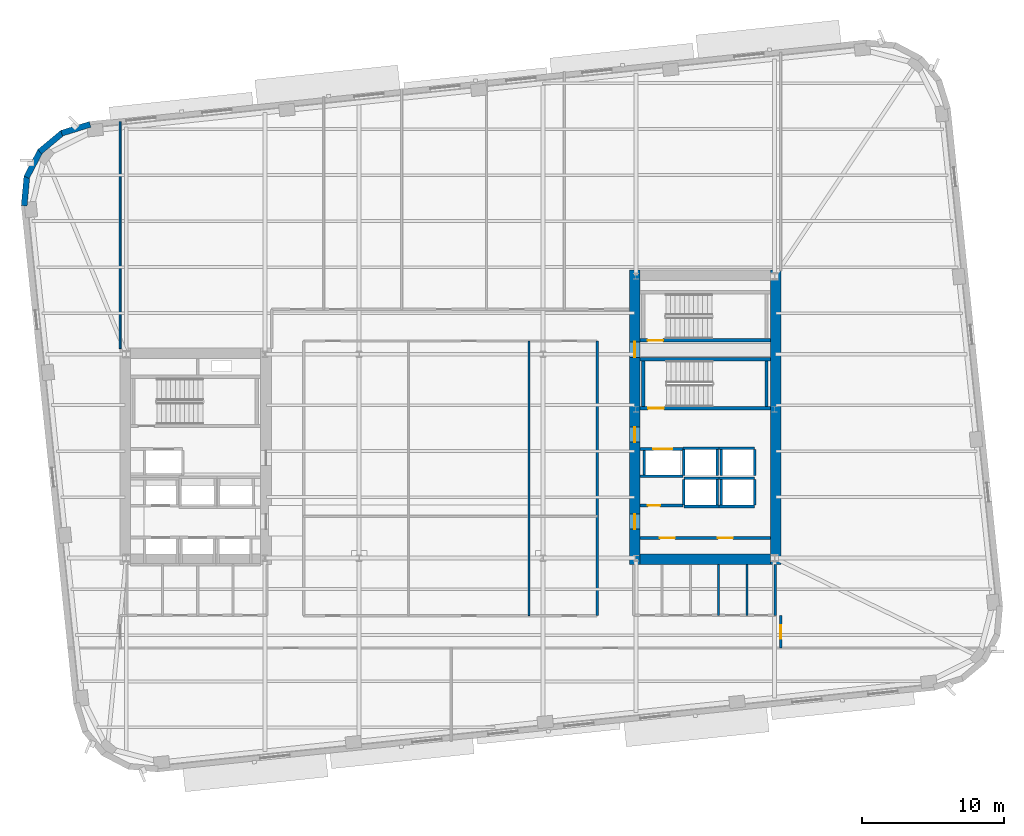
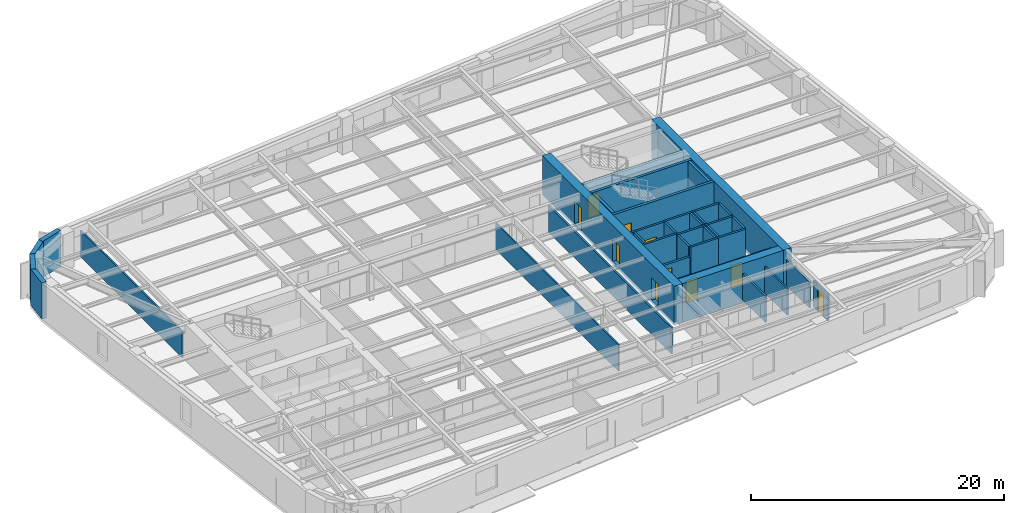
# One storey, part 6 of 15: 38 walls, 10 doors, 10 openings.
"""IFC4 building model written with IfcOpenShell, lengths in metres."""

import ifcopenshell
import ifcopenshell.guid

model = None  # the IFC model being written
_history = None  # IfcOwnerHistory: only IFC2X3 demands one
_inside = {}  # id of a spatial element -> (the spatial element, [elements in it])
_under = {}  # id of a project, library or spatial element -> (it, [spatial elements below it])
_declared = {}  # id of a project -> (the project, [libraries it declares])
_typed = {}  # id of a type object -> (the type object, [elements of that type])
_made_of = {}  # id of a material, layer set ... -> (it, [elements and type objects made of it])


def new_model(schema):
    """Start an empty IFC model of exactly this schema.

    Asked for "IFC4X3", IfcOpenShell would pick the latest addendum, in which some entities
    have other attributes; the version numbers below select the first issue.
    IFC2X3 requires an IfcOwnerHistory on every rooted entity: one is made here for all.
    """
    global model, _history
    if schema == "IFC4X3":
        model = ifcopenshell.file(schema_version=(4, 3, 0, 0))
    else:
        model = ifcopenshell.file(schema=schema)
    _inside.clear()
    _under.clear()
    _declared.clear()
    _typed.clear()
    _made_of.clear()
    _history = None
    if model.schema == "IFC2X3":
        org = make("IfcOrganization", Name="unknown")
        user = make(
            "IfcPersonAndOrganization",
            ThePerson=make("IfcPerson", FamilyName="unknown"),
            TheOrganization=org,
        )
        app = make(
            "IfcApplication",
            ApplicationDeveloper=org,
            Version="unknown",
            ApplicationFullName="unknown",
            ApplicationIdentifier="unknown",
        )
        _history = make(
            "IfcOwnerHistory",
            OwningUser=user,
            OwningApplication=app,
            ChangeAction="ADDED",
            CreationDate=0,
        )
    return model


def make(cls, **values):
    """One entity of the class cls with the attributes given. An attribute that is None is left unset."""
    return model.create_entity(
        cls, **{name: value for name, value in values.items() if value is not None}
    )


def rooted(cls, **values):
    """An entity with a GlobalId (a new one), such as an element, a storey or a relation."""
    return make(cls, GlobalId=ifcopenshell.guid.new(), OwnerHistory=_history, **values)


def si_unit(unit_type, name, prefix=None):
    """IfcSIUnit, for example si_unit("LENGTHUNIT", "METRE", prefix="MILLI")."""
    return make("IfcSIUnit", UnitType=unit_type, Prefix=prefix, Name=name)


def assignment(units):
    """IfcUnitAssignment: the units of a project."""
    return None if units is None else make("IfcUnitAssignment", Units=units)


def point(xyz):
    """IfcCartesianPoint."""
    return None if xyz is None else make("IfcCartesianPoint", Coordinates=xyz)


def direction(xyz):
    """IfcDirection."""
    return None if xyz is None else make("IfcDirection", DirectionRatios=xyz)


def frame(location, z_axis=None, x_axis=None):
    """IfcAxis2Placement3D, a coordinate frame: its origin and axes. An axis left out is left unset."""
    return make(
        "IfcAxis2Placement3D",
        Location=point(location),
        Axis=direction(z_axis),
        RefDirection=direction(x_axis),
    )


def frame_2d(location, x_axis=None):
    """IfcAxis2Placement2D, a coordinate frame in the plane: its origin and x axis."""
    return make(
        "IfcAxis2Placement2D", Location=point(location), RefDirection=direction(x_axis)
    )


def origin():
    """The frame at (0, 0, 0) with its axes left unset."""
    return frame((0.0, 0.0, 0.0))


def place(relative_to, where):
    """IfcLocalPlacement: puts the frame where relative to a parent placement (None: the world)."""
    return make(
        "IfcLocalPlacement", PlacementRelTo=relative_to, RelativePlacement=where
    )


def context(
    kind, dimensions, precision=None, world=None, true_north=None, identifier=None
):
    """IfcGeometricRepresentationContext, for example the 3D "Model" context."""
    return make(
        "IfcGeometricRepresentationContext",
        ContextIdentifier=identifier,
        ContextType=kind,
        CoordinateSpaceDimension=dimensions,
        Precision=precision,
        WorldCoordinateSystem=world,
        TrueNorth=true_north,
    )


def subcontext(parent, identifier, kind, view, scale=None):
    """IfcGeometricRepresentationSubContext, for example "Body" below "Model"."""
    return make(
        "IfcGeometricRepresentationSubContext",
        ContextIdentifier=identifier,
        ContextType=kind,
        ParentContext=parent,
        TargetScale=scale,
        TargetView=view,
    )


def project(units=None, contexts=None):
    """IfcProject with its units and contexts."""
    return rooted(
        "IfcProject",
        Name="project",
        RepresentationContexts=contexts,
        UnitsInContext=assignment(units),
    )


def spatial(cls, under=None, at=None, **own):
    """A site, building, storey or space (cls), placed at a placement, below another one or the project."""
    s = rooted(cls, ObjectPlacement=at, **own)
    if under is not None:
        _under.setdefault(under.id(), (under, []))[1].append(s)
    return s


def profile(cls, at=None, kind="AREA", **sizes):
    """A parametric profile (cls). Its sizes go by their IFC names, for example OverallWidth=200.0."""
    return make(cls, ProfileType=kind, Position=at, **sizes)


def rectangle(**sizes):
    """IfcRectangleProfileDef."""
    return profile("IfcRectangleProfileDef", **sizes)


def extrude(swept, where, along, depth):
    """IfcExtrudedAreaSolid: the profile swept, set in the frame where, extruded along a direction by depth."""
    return make(
        "IfcExtrudedAreaSolid",
        SweptArea=swept,
        Position=where,
        ExtrudedDirection=direction(along),
        Depth=depth,
    )


def shape(context_of_items, identifier, shape_type, items):
    """IfcShapeRepresentation: the items that make up one representation, for example the "Body"."""
    return make(
        "IfcShapeRepresentation",
        ContextOfItems=context_of_items,
        RepresentationIdentifier=identifier,
        RepresentationType=shape_type,
        Items=items,
    )


def material(Name=None, Category=None):
    """IfcMaterial."""
    return make("IfcMaterial", Name=Name, Category=Category)


def layer(
    of_material, thickness, ventilated=None, Name=None, Category=None, Priority=None
):
    """IfcMaterialLayer: one layer of a wall or slab, of a material (None: an air gap)."""
    return make(
        "IfcMaterialLayer",
        Material=of_material,
        LayerThickness=thickness,
        IsVentilated=ventilated,
        Name=Name,
        Category=Category,
        Priority=Priority,
    )


def layer_set(layers, Name=None):
    """IfcMaterialLayerSet."""
    return make("IfcMaterialLayerSet", MaterialLayers=layers, LayerSetName=Name)


def made_of(thing, what):
    """Note that an element or type object is made of a material, layer set ...; save() writes the relation."""
    if what is not None:
        _made_of.setdefault(what.id(), (what, []))[1].append(thing)
    return thing


def type_object(cls, material=None, **own):
    """A type object (cls), such as IfcWallType, which elements share."""
    return made_of(rooted(cls, **own), material)


def element(
    cls,
    number,
    at=None,
    inside=None,
    cuts=None,
    type_object=None,
    material=None,
    context=None,
    identifier="Body",
    shape_type=None,
    held_by="IfcProductDefinitionShape",
    body=None,
    shapes=None,
    **own,
):
    """One element of the class cls, such as IfcWall. Its Tag is "e" and its number.

    at: its placement. inside: the storey or other place that contains it. cuts: it is an
    opening in that element (IfcRelVoidsElement). A single representation is given by context,
    identifier, shape_type and body (its items); several are given by shapes. held_by: the class
    of the entity that holds the representations. save() writes the other relations.
    """
    e = rooted(cls, Tag="e%d" % number, ObjectPlacement=at, **own)
    if body is not None:
        shapes = [shape(context, identifier, shape_type, body)]
    if shapes is not None:
        e.Representation = make(held_by, Representations=shapes)
    if inside is not None:
        _inside.setdefault(inside.id(), (inside, []))[1].append(e)
    if cuts is not None:
        rooted(
            "IfcRelVoidsElement", RelatingBuildingElement=cuts, RelatedOpeningElement=e
        )
    if type_object is not None:
        _typed.setdefault(type_object.id(), (type_object, []))[1].append(e)
    return made_of(e, material)


def fill(opening, filler):
    """IfcRelFillsElement: the door or window that sits in an opening."""
    return rooted(
        "IfcRelFillsElement",
        RelatingOpeningElement=opening,
        RelatedBuildingElement=filler,
    )


def aggregate(whole, parts):
    """IfcRelAggregates: a whole, such as a stair, and the parts it consists of."""
    return rooted("IfcRelAggregates", RelatingObject=whole, RelatedObjects=parts)


def save(model, path):
    """Write the relations noted so far, then the file.

    IfcRelAggregates (storeys below a building ...), IfcRelContainedInSpatialStructure (elements
    in a storey), IfcRelDefinesByType, IfcRelAssociatesMaterial and IfcRelDeclares: one each for
    every whole, place, type object, material and project.
    """
    for whole, parts in _under.values():
        aggregate(whole, parts)
    for where, things in _inside.values():
        rooted(
            "IfcRelContainedInSpatialStructure",
            RelatedElements=things,
            RelatingStructure=where,
        )
    for kind, things in _typed.values():
        rooted("IfcRelDefinesByType", RelatedObjects=things, RelatingType=kind)
    for what, things in _made_of.values():
        rooted("IfcRelAssociatesMaterial", RelatedObjects=things, RelatingMaterial=what)
    for by, libraries in _declared.values():
        rooted("IfcRelDeclares", RelatingContext=by, RelatedDefinitions=libraries)
    model.write(path)


model = new_model("IFC4")

# Units and contexts
model_context = context("Model", 3, precision=1e-05, world=origin(), true_north=direction((0.0, 1.0)))
body_context = subcontext(model_context, "Body", "Model", "MODEL_VIEW")
ifc_project = project(units=[si_unit("LENGTHUNIT", "METRE"), si_unit("AREAUNIT", "SQUARE_METRE"), si_unit("VOLUMEUNIT", "CUBIC_METRE"), si_unit("PLANEANGLEUNIT", "RADIAN"), si_unit("MASSUNIT", "GRAM", prefix="KILO")], contexts=[model_context])

# Site, building, storey
site_placement = place(None, origin())
site = spatial("IfcSite", under=ifc_project, at=site_placement, CompositionType="ELEMENT")
building_placement = place(site_placement, origin())
building = spatial("IfcBuilding", under=site, at=building_placement, Name="Kolvaren Arena Tower", CompositionType="ELEMENT")
storey_placement = place(building_placement, frame((0.0, 0.0, 142.0)))
storey = spatial("IfcBuildingStorey", under=building, at=storey_placement, Name="L33", CompositionType="ELEMENT", Elevation=142.0)

# Wall
ifc_material_1 = material(Name="Gypsum board acoustic assembly", Category="gypsum")
ifc_layer_1 = layer(ifc_material_1, 0.159912109375)
ifc_layer_set_1 = layer_set([ifc_layer_1], Name="Gypsum board acoustic assembly")
wall_type_1 = type_object("IfcWallType", Name="CORR-160", PredefinedType="PARTITIONING", material=ifc_layer_set_1)
wall_1_placement = place(storey_placement, frame((47.820068359375, 15.3798828125, 0.0), z_axis=(0.0, 0.0, 1.0), x_axis=(0.0, 1.0, 0.0)))
element("IfcWall", 1, at=wall_1_placement, inside=storey, type_object=wall_type_1, Name="Interior Partition Wall (L33)", PredefinedType="PARTITIONING", context=body_context, shape_type="SweptSolid", body=[
    extrude(rectangle(XDim=19.400146484375, YDim=0.159912109375, at=frame_2d((9.7001953125, 0.0))), origin(), (0.0, 0.0, 1.0), 2.5400390625),
])

# Wall, opening, door
wall_2_placement = place(storey_placement, frame((60.780029296875, 13.10009765625, 0.0), z_axis=(0.0, 0.0, 1.0), x_axis=(0.0, 1.0, 0.0)))
wall_2 = element("IfcWall", 2, at=wall_2_placement, inside=storey, type_object=wall_type_1, Name="Interior Partition Wall (L33)", PredefinedType="PARTITIONING", context=body_context, shape_type="SweptSolid", body=[
    extrude(rectangle(XDim=2.2998046875, YDim=0.159912109375, at=frame_2d((1.14990234375, 0.0))), origin(), (0.0, 0.0, 1.0), 2.5400390625),
])
opening_1_placement = place(wall_2_placement, frame((0.64990234375, 0.0, 0.0)))
opening_1 = element("IfcOpeningElement", 3, at=opening_1_placement, cuts=wall_2, Name="Opening D05", PredefinedType="OPENING", context=body_context, shape_type="SweptSolid", body=[
    extrude(rectangle(XDim=0.949951171875, YDim=2.14990234375, at=frame_2d((0.47509765625, 1.074951171875))), frame((0.0, 0.08984375, 0.0), z_axis=(0.0, -1.0, 0.0), x_axis=(1.0, 0.0, 0.0)), (0.0, 0.0, 1.0), 0.179931640625),
])
ifc_material_2 = material(Name="Solid-core oak acoustic office door", Category="wood")
door_type_1 = type_object("IfcDoorType", Name="DOOR-OF-095", OperationType="NOTDEFINED", PredefinedType="DOOR", material=ifc_material_2)
door_1_placement = place(opening_1_placement, origin())
door_1 = element("IfcDoor", 4, at=door_1_placement, inside=storey, type_object=door_type_1, Name="East Wing Studio Door (L33)", OperationType="SINGLE_SWING_RIGHT", OverallHeight=2.14990234375, OverallWidth=0.949951171875, PredefinedType="DOOR", context=body_context, shape_type="SweptSolid", body=[
    extrude(rectangle(XDim=0.949951171875, YDim=2.14990234375, at=frame_2d((0.47509765625, 1.074951171875))), frame((0.0, 0.02490234375, 0.0), z_axis=(0.0, -1.0, 0.0), x_axis=(1.0, 0.0, 0.0)), (0.0, 0.0, 1.0), 0.050048828125),
])
fill(opening_1, door_1)

# Wall, openings, doors
ifc_material_3 = material(Name="Concrete 70 MPa", Category="concrete")
ifc_layer_2 = layer(ifc_material_3, 0.75)
ifc_layer_set_2 = layer_set([ifc_layer_2], Name="Concrete 70 MPa")
wall_type_2 = type_object("IfcWallType", Name="CWALL-750", PredefinedType="SHEAR", material=ifc_layer_set_2)
wall_3_placement = place(storey_placement, frame((50.47509765625, 19.0, -0.27001953125), z_axis=(0.0, 0.0, 1.0), x_axis=(0.0, 1.0, 0.0)))
wall_3 = element("IfcWall", 5, at=wall_3_placement, inside=storey, type_object=wall_type_2, Name="Core Shear Wall EC-WEST (L33)", PredefinedType="SHEAR", context=body_context, shape_type="SweptSolid", body=[
    extrude(rectangle(XDim=20.800048828125, YDim=0.75, at=frame_2d((10.39990234375, 0.0))), origin(), (0.0, 0.0, 1.0), 3.75),
])
opening_2_placement = place(wall_3_placement, frame((2.5, 0.0, 0.27001953125)))
opening_2 = element("IfcOpeningElement", 6, at=opening_2_placement, cuts=wall_3, Name="Opening D04", PredefinedType="OPENING", context=body_context, shape_type="SweptSolid", body=[
    extrude(rectangle(XDim=1.050048828125, YDim=2.14990234375, at=frame_2d((0.52490234375, 1.074951171875))), frame((0.0, 0.385009765625, 0.0), z_axis=(0.0, -1.0, 0.0), x_axis=(1.0, 0.0, 0.0)), (0.0, 0.0, 1.0), 0.77001953125),
])
opening_3_placement = place(wall_3_placement, frame((8.64990234375, 0.0, 0.27001953125)))
opening_3 = element("IfcOpeningElement", 7, at=opening_3_placement, cuts=wall_3, Name="Opening D04", PredefinedType="OPENING", context=body_context, shape_type="SweptSolid", body=[
    extrude(rectangle(XDim=1.050048828125, YDim=2.14990234375, at=frame_2d((0.52490234375, 1.074951171875))), frame((0.0, 0.385009765625, 0.0), z_axis=(0.0, -1.0, 0.0), x_axis=(1.0, 0.0, 0.0)), (0.0, 0.0, 1.0), 0.77001953125),
])
opening_4_placement = place(wall_3_placement, frame((14.6201171875, 0.0, 0.27001953125)))
opening_4 = element("IfcOpeningElement", 8, at=opening_4_placement, cuts=wall_3, Name="Opening D03", PredefinedType="OPENING", context=body_context, shape_type="SweptSolid", body=[
    extrude(rectangle(XDim=1.10009765625, YDim=2.14990234375, at=frame_2d((0.550048828125, 1.074951171875))), frame((0.0, 0.385009765625, 0.0), z_axis=(0.0, -1.0, 0.0), x_axis=(1.0, 0.0, 0.0)), (0.0, 0.0, 1.0), 0.77001953125),
])
ifc_material_4 = material(Name="Fire-rated steel lobby door", Category="steel")
door_type_2 = type_object("IfcDoorType", Name="DOOR-FF-105", OperationType="NOTDEFINED", PredefinedType="DOOR", material=ifc_material_4)
door_2_placement = place(opening_2_placement, origin())
door_2 = element("IfcDoor", 9, at=door_2_placement, inside=storey, type_object=door_type_2, Name="East Lift Lobby Fire Door (L33)", OperationType="SINGLE_SWING_RIGHT", OverallHeight=2.14990234375, OverallWidth=1.050048828125, PredefinedType="DOOR", context=body_context, shape_type="SweptSolid", body=[
    extrude(rectangle(XDim=1.050048828125, YDim=2.14990234375, at=frame_2d((0.52490234375, 1.074951171875))), frame((0.0, 0.02490234375, 0.0), z_axis=(0.0, -1.0, 0.0), x_axis=(1.0, 0.0, 0.0)), (0.0, 0.0, 1.0), 0.050048828125),
])
fill(opening_2, door_2)
door_3_placement = place(opening_3_placement, origin())
door_3 = element("IfcDoor", 10, at=door_3_placement, inside=storey, type_object=door_type_2, Name="East Firefighter Vestibule Door (L33)", OperationType="SINGLE_SWING_LEFT", OverallHeight=2.14990234375, OverallWidth=1.050048828125, PredefinedType="DOOR", context=body_context, shape_type="SweptSolid", body=[
    extrude(rectangle(XDim=1.050048828125, YDim=2.14990234375, at=frame_2d((0.52490234375, 1.074951171875))), frame((0.0, 0.02490234375, 0.0), z_axis=(0.0, -1.0, 0.0), x_axis=(1.0, 0.0, 0.0)), (0.0, 0.0, 1.0), 0.050048828125),
])
fill(opening_3, door_3)
ifc_material_5 = material(Name="Fire-rated steel exit stair door", Category="steel")
door_type_3 = type_object("IfcDoorType", Name="DOOR-ST-110", OperationType="NOTDEFINED", PredefinedType="DOOR", material=ifc_material_5)
door_4_placement = place(opening_4_placement, origin())
door_4 = element("IfcDoor", 11, at=door_4_placement, inside=storey, type_object=door_type_3, Name="Stair ST-E2 Vestibule Fire Door (L33)", OperationType="SINGLE_SWING_LEFT", OverallHeight=2.14990234375, OverallWidth=1.10009765625, PredefinedType="DOOR", context=body_context, shape_type="SweptSolid", body=[
    extrude(rectangle(XDim=1.10009765625, YDim=2.14990234375, at=frame_2d((0.550048828125, 1.074951171875))), frame((0.0, 0.02490234375, 0.0), z_axis=(0.0, -1.0, 0.0), x_axis=(1.0, 0.0, 0.0)), (0.0, 0.0, 1.0), 0.050048828125),
])
fill(opening_4, door_4)

# Walls
wall_4_placement = place(storey_placement, frame((60.425048828125, 19.0, -0.27001953125), z_axis=(0.0, 0.0, 1.0), x_axis=(0.0, 1.0, 0.0)))
element("IfcWall", 12, at=wall_4_placement, inside=storey, type_object=wall_type_2, Name="Core Shear Wall EC-EAST (L33)", PredefinedType="SHEAR", context=body_context, shape_type="SweptSolid", body=[
    extrude(rectangle(XDim=20.800048828125, YDim=0.75, at=frame_2d((10.39990234375, 0.0))), origin(), (0.0, 0.0, 1.0), 3.75),
])
wall_5_placement = place(storey_placement, frame((50.85009765625, 19.375, -0.27001953125), z_axis=(0.0, 0.0, 1.0), x_axis=(1.0, 0.0, 0.0)))
element("IfcWall", 13, at=wall_5_placement, inside=storey, type_object=wall_type_2, Name="Core Shear Wall EC-SOUTH (L33)", PredefinedType="SHEAR", context=body_context, shape_type="SweptSolid", body=[
    extrude(rectangle(XDim=9.199951171875, YDim=0.75, at=frame_2d((4.60009765625, 0.0))), origin(), (0.0, 0.0, 1.0), 3.75),
])
ifc_material_6 = material(Name="Precast concrete C50/60", Category="concrete")
ifc_layer_3 = layer(ifc_material_6, 0.419921875)
ifc_layer_set_3 = layer_set([ifc_layer_3], Name="Precast concrete C50/60")
wall_type_3 = type_object("IfcWallType", Name="EXT-PIER1", PredefinedType="SOLIDWALL", material=ifc_layer_set_3)
wall_6_placement = place(storey_placement, frame((9.98681640625, 49.463134765625, 0.0), z_axis=(0.0, 0.0, 1.0), x_axis=(0.955016613791, 0.296552301261, 0.0)))
element("IfcWall", 14, at=wall_6_placement, inside=storey, type_object=wall_type_3, Name="Exterior Precast Masonry-Frame Wall (L33)", PredefinedType="SOLIDWALL", context=body_context, shape_type="SweptSolid", body=[
    extrude(rectangle(XDim=2.106689453125, YDim=0.419921875, at=frame_2d((1.05322265625, 0.0))), origin(), (0.0, 0.0, 1.0), 3.47998046875),
])
wall_7_placement = place(storey_placement, frame((8.438720703125, 48.15478515625, 0.0), z_axis=(0.0, 0.0, 1.0), x_axis=(0.768800317178, 0.639488914921, 0.0)))
element("IfcWall", 15, at=wall_7_placement, inside=storey, type_object=wall_type_3, Name="Exterior Precast Masonry-Frame Wall (L33)", PredefinedType="SOLIDWALL", context=body_context, shape_type="SweptSolid", body=[
    extrude(rectangle(XDim=2.10693359375, YDim=0.419921875, at=frame_2d((1.053466796875, 0.0))), origin(), (0.0, 0.0, 1.0), 3.47998046875),
])
wall_8_placement = place(storey_placement, frame((7.50927734375, 46.35400390625, 0.0), z_axis=(0.0, 0.0, 1.0), x_axis=(0.465612698516, 0.884988595961, 0.0)))
element("IfcWall", 16, at=wall_8_placement, inside=storey, type_object=wall_type_3, Name="Exterior Precast Masonry-Frame Wall (L33)", PredefinedType="SOLIDWALL", context=body_context, shape_type="SweptSolid", body=[
    extrude(rectangle(XDim=2.106689453125, YDim=0.419921875, at=frame_2d((1.05322265625, 0.0))), origin(), (0.0, 0.0, 1.0), 3.47998046875),
])
wall_9_placement = place(storey_placement, frame((7.339599609375, 44.33447265625, 0.0), z_axis=(0.0, 0.0, 1.0), x_axis=(0.091538655308, 0.995801523691, 0.0)))
element("IfcWall", 17, at=wall_9_placement, inside=storey, type_object=wall_type_3, Name="Exterior Precast Masonry-Frame Wall (L33)", PredefinedType="SOLIDWALL", context=body_context, shape_type="SweptSolid", body=[
    extrude(rectangle(XDim=2.10693359375, YDim=0.419921875, at=frame_2d((1.053466796875, 0.0))), origin(), (0.0, 0.0, 1.0), 3.47998046875),
])

# Wall, openings, doors
ifc_material_7 = material(Name="Concrete 40 MPa", Category="concrete")
ifc_layer_4 = layer(ifc_material_7, 0.199951171875)
ifc_layer_set_4 = layer_set([ifc_layer_4], Name="Concrete 40 MPa")
wall_type_4 = type_object("IfcWallType", Name="LOBBY-200", PredefinedType="SOLIDWALL", material=ifc_layer_set_4)
wall_10_placement = place(storey_placement, frame((50.85009765625, 20.8798828125, 0.0), z_axis=(0.0, 0.0, 1.0), x_axis=(1.0, 0.0, 0.0)))
wall_10 = element("IfcWall", 18, at=wall_10_placement, inside=storey, type_object=wall_type_4, Name="Core Shaft Wall (L33)", PredefinedType="SOLIDWALL", context=body_context, shape_type="SweptSolid", body=[
    extrude(rectangle(XDim=9.199951171875, YDim=0.199951171875, at=frame_2d((4.60009765625, 0.0))), origin(), (0.0, 0.0, 1.0), 2.5400390625),
])
opening_5_placement = place(wall_10_placement, frame((1.39990234375, 0.0, 0.0)))
opening_5 = element("IfcOpeningElement", 19, at=opening_5_placement, cuts=wall_10, Name="Opening D04", PredefinedType="OPENING", context=body_context, shape_type="SweptSolid", body=[
    extrude(rectangle(XDim=1.050048828125, YDim=2.14990234375, at=frame_2d((0.52490234375, 1.074951171875))), frame((0.0, 0.10986328125, 0.0), z_axis=(0.0, -1.0, 0.0), x_axis=(1.0, 0.0, 0.0)), (0.0, 0.0, 1.0), 0.219970703125),
])
opening_6_placement = place(wall_10_placement, frame((5.5, 0.0, 0.0)))
opening_6 = element("IfcOpeningElement", 20, at=opening_6_placement, cuts=wall_10, Name="Opening D04", PredefinedType="OPENING", context=body_context, shape_type="SweptSolid", body=[
    extrude(rectangle(XDim=1.050048828125, YDim=2.14990234375, at=frame_2d((0.52490234375, 1.074951171875))), frame((0.0, 0.10986328125, 0.0), z_axis=(0.0, -1.0, 0.0), x_axis=(1.0, 0.0, 0.0)), (0.0, 0.0, 1.0), 0.219970703125),
])
door_5_placement = place(opening_5_placement, origin())
door_5 = element("IfcDoor", 21, at=door_5_placement, inside=storey, type_object=door_type_2, Name="East Telecom Room Fire Door (L33)", OperationType="SINGLE_SWING_RIGHT", OverallHeight=2.14990234375, OverallWidth=1.050048828125, PredefinedType="DOOR", context=body_context, shape_type="SweptSolid", body=[
    extrude(rectangle(XDim=1.050048828125, YDim=2.14990234375, at=frame_2d((0.52490234375, 1.074951171875))), frame((0.0, 0.02490234375, 0.0), z_axis=(0.0, -1.0, 0.0), x_axis=(1.0, 0.0, 0.0)), (0.0, 0.0, 1.0), 0.050048828125),
])
fill(opening_5, door_5)
door_6_placement = place(opening_6_placement, origin())
door_6 = element("IfcDoor", 22, at=door_6_placement, inside=storey, type_object=door_type_2, Name="East Records Room Fire Door (L33)", OperationType="SINGLE_SWING_LEFT", OverallHeight=2.14990234375, OverallWidth=1.050048828125, PredefinedType="DOOR", context=body_context, shape_type="SweptSolid", body=[
    extrude(rectangle(XDim=1.050048828125, YDim=2.14990234375, at=frame_2d((0.52490234375, 1.074951171875))), frame((0.0, 0.02490234375, 0.0), z_axis=(0.0, -1.0, 0.0), x_axis=(1.0, 0.0, 0.0)), (0.0, 0.0, 1.0), 0.050048828125),
])
fill(opening_6, door_6)

# Wall, opening, door
wall_11_placement = place(storey_placement, frame((50.85009765625, 23.159912109375, 0.0), z_axis=(0.0, 0.0, 1.0), x_axis=(1.0, 0.0, 0.0)))
wall_11 = element("IfcWall", 23, at=wall_11_placement, inside=storey, type_object=wall_type_4, Name="Core Shaft Wall (L33)", PredefinedType="SOLIDWALL", context=body_context, shape_type="SweptSolid", body=[
    extrude(rectangle(XDim=3.02978515625, YDim=0.199951171875, at=frame_2d((1.514892578125, 0.0))), origin(), (0.0, 0.0, 1.0), 2.5400390625),
])
opening_7_placement = place(wall_11_placement, frame((0.550048828125, 0.0, 0.0)))
opening_7 = element("IfcOpeningElement", 24, at=opening_7_placement, cuts=wall_11, Name="Opening D09", PredefinedType="OPENING", context=body_context, shape_type="SweptSolid", body=[
    extrude(rectangle(XDim=0.860107421875, YDim=2.050048828125, at=frame_2d((0.43017578125, 1.02490234375))), frame((0.0, 0.10986328125, 0.0), z_axis=(0.0, -1.0, 0.0), x_axis=(1.0, 0.0, 0.0)), (0.0, 0.0, 1.0), 0.219970703125),
])
ifc_material_8 = material(Name="Fire-rated steel riser access door", Category="steel")
door_type_4 = type_object("IfcDoorType", Name="DOOR-RS-086", OperationType="NOTDEFINED", PredefinedType="DOOR", material=ifc_material_8)
door_7_placement = place(opening_7_placement, origin())
door_7 = element("IfcDoor", 25, at=door_7_placement, inside=storey, type_object=door_type_4, Name="East AV Riser Closet Door (L33)", OperationType="SINGLE_SWING_LEFT", OverallHeight=2.050048828125, OverallWidth=0.860107421875, PredefinedType="DOOR", context=body_context, shape_type="SweptSolid", body=[
    extrude(rectangle(XDim=0.860107421875, YDim=2.050048828125, at=frame_2d((0.43017578125, 1.02490234375))), frame((0.0, 0.02490234375, 0.0), z_axis=(0.0, -1.0, 0.0), x_axis=(1.0, 0.0, 0.0)), (0.0, 0.0, 1.0), 0.050048828125),
])
fill(opening_7, door_7)

# Walls
ifc_material_9 = material(Name="Gypsum board partition assembly", Category="gypsum")
ifc_layer_5 = layer(ifc_material_9, 0.114990234375)
ifc_layer_set_5 = layer_set([ifc_layer_5], Name="Gypsum board partition assembly")
wall_type_5 = type_object("IfcWallType", Name="PART-115", PredefinedType="PARTITIONING", material=ifc_layer_set_5)
wall_12_placement = place(storey_placement, frame((43.0, 15.3798828125, 0.0), z_axis=(0.0, 0.0, 1.0), x_axis=(0.0, 1.0, 0.0)))
element("IfcWall", 26, at=wall_12_placement, inside=storey, type_object=wall_type_5, Name="Interior Partition Wall (L33)", PredefinedType="PARTITIONING", context=body_context, shape_type="SweptSolid", body=[
    extrude(rectangle(XDim=19.400146484375, YDim=0.114990234375, at=frame_2d((9.7001953125, 0.0))), origin(), (0.0, 0.0, 1.0), 2.5400390625),
])
ifc_layer_6 = layer(ifc_material_9, 0.135009765625)
ifc_layer_set_6 = layer_set([ifc_layer_6], Name="Gypsum board partition assembly")
wall_type_6 = type_object("IfcWallType", Name="PART-135", PredefinedType="PARTITIONING", material=ifc_layer_set_6)
wall_13_placement = place(storey_placement, frame((14.1201171875, 34.25, 0.0), z_axis=(0.0, 0.0, 1.0), x_axis=(0.0, 1.0, 0.0)))
element("IfcWall", 27, at=wall_13_placement, inside=storey, type_object=wall_type_6, Name="Interior Partition Wall (L33)", PredefinedType="PARTITIONING", context=body_context, shape_type="SweptSolid", body=[
    extrude(rectangle(XDim=16.026611328125, YDim=0.135009765625, at=frame_2d((8.01318359375, 0.0))), origin(), (0.0, 0.0, 1.0), 2.5400390625),
])

# Wall, opening, door
ifc_material_10 = material(Name="Concrete 45 MPa", Category="concrete")
ifc_layer_7 = layer(ifc_material_10, 0.25)
ifc_layer_set_7 = layer_set([ifc_layer_7], Name="Concrete 45 MPa")
wall_type_7 = type_object("IfcWallType", Name="SHAFT-250", PredefinedType="SOLIDWALL", material=ifc_layer_set_7)
wall_14_placement = place(storey_placement, frame((60.050048828125, 30.030029296875, 0.0), z_axis=(0.0, 0.0, 1.0), x_axis=(-1.0, 0.0, 0.0)))
wall_14 = element("IfcWall", 28, at=wall_14_placement, inside=storey, type_object=wall_type_7, Name="Core Shaft Wall (L33)", PredefinedType="SOLIDWALL", context=body_context, shape_type="SweptSolid", body=[
    extrude(rectangle(XDim=9.199951171875, YDim=0.239990234375, at=frame_2d((4.60009765625, 0.0))), origin(), (0.0, 0.0, 1.0), 3.47998046875),
])
opening_8_placement = place(wall_14_placement, frame((7.530029296875, 0.0, 0.0)))
opening_8 = element("IfcOpeningElement", 29, at=opening_8_placement, cuts=wall_14, Name="Opening D03", PredefinedType="OPENING", context=body_context, shape_type="SweptSolid", body=[
    extrude(rectangle(XDim=1.10009765625, YDim=2.14990234375, at=frame_2d((0.550048828125, 1.074951171875))), frame((0.0, 0.1298828125, 0.0), z_axis=(0.0, -1.0, 0.0), x_axis=(1.0, 0.0, 0.0)), (0.0, 0.0, 1.0), 0.260009765625),
])
door_8_placement = place(opening_8_placement, origin())
door_8 = element("IfcDoor", 30, at=door_8_placement, inside=storey, type_object=door_type_3, Name="Stair ST-E1 Fire Door (L33)", OperationType="SINGLE_SWING_LEFT", OverallHeight=2.14990234375, OverallWidth=1.10009765625, PredefinedType="DOOR", context=body_context, shape_type="SweptSolid", body=[
    extrude(rectangle(XDim=1.10009765625, YDim=2.14990234375, at=frame_2d((0.550048828125, 1.074951171875))), frame((0.0, 0.02490234375, 0.0), z_axis=(0.0, -1.0, 0.0), x_axis=(1.0, 0.0, 0.0)), (0.0, 0.0, 1.0), 0.050048828125),
])
fill(opening_8, door_8)

# Walls
wall_15_placement = place(storey_placement, frame((50.85009765625, 33.5, 0.0), z_axis=(0.0, 0.0, 1.0), x_axis=(1.0, 0.0, 0.0)))
element("IfcWall", 31, at=wall_15_placement, inside=storey, type_object=wall_type_7, Name="Core Shaft Wall (L33)", PredefinedType="SOLIDWALL", context=body_context, shape_type="SweptSolid", body=[
    extrude(rectangle(XDim=9.199951171875, YDim=0.239990234375, at=frame_2d((4.60009765625, 0.0))), origin(), (0.0, 0.0, 1.0), 3.47998046875),
])
for number, where, z_axis, x_axis, name in (
    (32, (51.06005859375, 30.14990234375, 0.0), (0.0, 0.0, 1.0), (0.0, 1.0, 0.0), "Core Shaft Wall (L33)"),
    (33, (59.780029296875, 30.14990234375, 0.0), (0.0, 0.0, 1.0), (0.0, 1.0, 0.0), "Core Shaft Wall (L33)"),
):
    element("IfcWall", number, at=place(storey_placement, frame(where, z_axis=z_axis, x_axis=x_axis)), inside=storey, type_object=wall_type_7, Name=name, PredefinedType="SOLIDWALL", context=body_context, shape_type="SweptSolid", body=[
        extrude(rectangle(XDim=3.22998046875, YDim=0.239990234375, at=frame_2d((1.614990234375, 0.0))), origin(), (0.0, 0.0, 1.0), 3.47998046875),
    ])

# Wall, opening, door
wall_16_placement = place(storey_placement, frame((60.050048828125, 34.830078125, 0.0), z_axis=(0.0, 0.0, 1.0), x_axis=(-1.0, 0.0, 0.0)))
wall_16 = element("IfcWall", 34, at=wall_16_placement, inside=storey, type_object=wall_type_7, Name="Core Shaft Wall (L33)", PredefinedType="SOLIDWALL", context=body_context, shape_type="SweptSolid", body=[
    extrude(rectangle(XDim=9.199951171875, YDim=0.239990234375, at=frame_2d((4.60009765625, 0.0))), origin(), (0.0, 0.0, 1.0), 3.47998046875),
])
opening_9_placement = place(wall_16_placement, frame((7.570068359375, 0.0, 0.0)))
opening_9 = element("IfcOpeningElement", 35, at=opening_9_placement, cuts=wall_16, Name="Opening D03", PredefinedType="OPENING", context=body_context, shape_type="SweptSolid", body=[
    extrude(rectangle(XDim=1.10009765625, YDim=2.14990234375, at=frame_2d((0.550048828125, 1.074951171875))), frame((0.0, 0.1298828125, 0.0), z_axis=(0.0, -1.0, 0.0), x_axis=(1.0, 0.0, 0.0)), (0.0, 0.0, 1.0), 0.260009765625),
])
door_9_placement = place(opening_9_placement, origin())
door_9 = element("IfcDoor", 36, at=door_9_placement, inside=storey, type_object=door_type_3, Name="Stair ST-E2 Fire Door (L33)", OperationType="SINGLE_SWING_LEFT", OverallHeight=2.14990234375, OverallWidth=1.10009765625, PredefinedType="DOOR", context=body_context, shape_type="SweptSolid", body=[
    extrude(rectangle(XDim=1.10009765625, YDim=2.14990234375, at=frame_2d((0.550048828125, 1.074951171875))), frame((0.0, 0.02490234375, 0.0), z_axis=(0.0, -1.0, 0.0), x_axis=(1.0, 0.0, 0.0)), (0.0, 0.0, 1.0), 0.050048828125),
])
fill(opening_9, door_9)

# Walls
for number, where, z_axis, x_axis, name in (
    (37, (53.93994140625, 25.10498046875, 0.0), (0.0, 0.0, 1.0), (1.0, 0.0, 0.0), "Core Shaft Wall (L33)"),
    (38, (53.93994140625, 23.094970703125, 0.0), (0.0, 0.0, 1.0), (1.0, 0.0, 0.0), "Core Shaft Wall (L33)"),
):
    element("IfcWall", number, at=place(storey_placement, frame(where, z_axis=z_axis, x_axis=x_axis)), inside=storey, type_object=wall_type_7, Name=name, PredefinedType="SOLIDWALL", context=body_context, shape_type="SweptSolid", body=[
        extrude(rectangle(XDim=2.5, YDim=0.179931640625, at=frame_2d((1.25, 0.0))), origin(), (0.0, 0.0, 1.0), 3.47998046875),
    ])
for number, where, z_axis, x_axis, name in (
    (39, (53.93994140625, 23.18505859375, 0.0), (0.0, 0.0, 1.0), (0.0, 1.0, 0.0), "Core Shaft Wall (L33)"),
    (40, (56.300048828125, 23.18505859375, 0.0), (0.0, 0.0, 1.0), (0.0, 1.0, 0.0), "Core Shaft Wall (L33)"),
):
    element("IfcWall", number, at=place(storey_placement, frame(where, z_axis=z_axis, x_axis=x_axis)), inside=storey, type_object=wall_type_7, Name=name, PredefinedType="SOLIDWALL", context=body_context, shape_type="SweptSolid", body=[
        extrude(rectangle(XDim=1.829833984375, YDim=0.179931640625, at=frame_2d((0.9150390625, 0.0))), origin(), (0.0, 0.0, 1.0), 3.47998046875),
    ])
for number, where, z_axis, x_axis, name in (
    (41, (56.43994140625, 25.10498046875, 0.0), (0.0, 0.0, 1.0), (1.0, 0.0, 0.0), "Core Shaft Wall (L33)"),
    (42, (56.43994140625, 23.094970703125, 0.0), (0.0, 0.0, 1.0), (1.0, 0.0, 0.0), "Core Shaft Wall (L33)"),
):
    element("IfcWall", number, at=place(storey_placement, frame(where, z_axis=z_axis, x_axis=x_axis)), inside=storey, type_object=wall_type_7, Name=name, PredefinedType="SOLIDWALL", context=body_context, shape_type="SweptSolid", body=[
        extrude(rectangle(XDim=2.5, YDim=0.179931640625, at=frame_2d((1.25, 0.0))), origin(), (0.0, 0.0, 1.0), 3.47998046875),
    ])
for number, where, z_axis, x_axis, name in (
    (43, (56.580078125, 23.18505859375, 0.0), (0.0, 0.0, 1.0), (0.0, 1.0, 0.0), "Core Shaft Wall (L33)"),
    (44, (58.93994140625, 23.18505859375, 0.0), (0.0, 0.0, 1.0), (0.0, 1.0, 0.0), "Core Shaft Wall (L33)"),
):
    element("IfcWall", number, at=place(storey_placement, frame(where, z_axis=z_axis, x_axis=x_axis)), inside=storey, type_object=wall_type_7, Name=name, PredefinedType="SOLIDWALL", context=body_context, shape_type="SweptSolid", body=[
        extrude(rectangle(XDim=1.829833984375, YDim=0.179931640625, at=frame_2d((0.9150390625, 0.0))), origin(), (0.0, 0.0, 1.0), 3.47998046875),
    ])
wall_17_placement = place(storey_placement, frame((53.864990234375, 27.205078125, 0.0), z_axis=(0.0, 0.0, 1.0), x_axis=(1.0, 0.0, 0.0)))
element("IfcWall", 45, at=wall_17_placement, inside=storey, type_object=wall_type_7, Name="Core Shaft Wall (L33)", PredefinedType="SOLIDWALL", context=body_context, shape_type="SweptSolid", body=[
    extrude(rectangle(XDim=2.574951171875, YDim=0.179931640625, at=frame_2d((1.28759765625, 0.0))), origin(), (0.0, 0.0, 1.0), 3.47998046875),
])
for number, where, z_axis, x_axis, name in (
    (46, (53.93994140625, 25.284912109375, 0.0), (0.0, 0.0, 1.0), (0.0, 1.0, 0.0), "Core Shaft Wall (L33)"),
    (47, (56.300048828125, 25.284912109375, 0.0), (0.0, 0.0, 1.0), (0.0, 1.0, 0.0), "Core Shaft Wall (L33)"),
):
    element("IfcWall", number, at=place(storey_placement, frame(where, z_axis=z_axis, x_axis=x_axis)), inside=storey, type_object=wall_type_7, Name=name, PredefinedType="SOLIDWALL", context=body_context, shape_type="SweptSolid", body=[
        extrude(rectangle(XDim=1.830078125, YDim=0.179931640625, at=frame_2d((0.9150390625, 0.0))), origin(), (0.0, 0.0, 1.0), 3.47998046875),
    ])
wall_18_placement = place(storey_placement, frame((56.43994140625, 27.205078125, 0.0), z_axis=(0.0, 0.0, 1.0), x_axis=(1.0, 0.0, 0.0)))
element("IfcWall", 48, at=wall_18_placement, inside=storey, type_object=wall_type_7, Name="Core Shaft Wall (L33)", PredefinedType="SOLIDWALL", context=body_context, shape_type="SweptSolid", body=[
    extrude(rectangle(XDim=2.5, YDim=0.179931640625, at=frame_2d((1.25, 0.0))), origin(), (0.0, 0.0, 1.0), 3.47998046875),
])
for number, where, z_axis, x_axis, name in (
    (49, (56.580078125, 25.284912109375, 0.0), (0.0, 0.0, 1.0), (0.0, 1.0, 0.0), "Core Shaft Wall (L33)"),
    (50, (58.93994140625, 25.284912109375, 0.0), (0.0, 0.0, 1.0), (0.0, 1.0, 0.0), "Core Shaft Wall (L33)"),
):
    element("IfcWall", number, at=place(storey_placement, frame(where, z_axis=z_axis, x_axis=x_axis)), inside=storey, type_object=wall_type_7, Name=name, PredefinedType="SOLIDWALL", context=body_context, shape_type="SweptSolid", body=[
        extrude(rectangle(XDim=1.830078125, YDim=0.179931640625, at=frame_2d((0.9150390625, 0.0))), origin(), (0.0, 0.0, 1.0), 3.47998046875),
    ])

# Wall, opening, door
wall_19_placement = place(storey_placement, frame((50.85009765625, 27.155029296875, 0.0), z_axis=(0.0, 0.0, 1.0), x_axis=(1.0, 0.0, 0.0)))
wall_19 = element("IfcWall", 51, at=wall_19_placement, inside=storey, type_object=wall_type_7, Name="Core Shaft Wall (L33)", PredefinedType="SOLIDWALL", context=body_context, shape_type="SweptSolid", body=[
    extrude(rectangle(XDim=3.014892578125, YDim=0.179931640625, at=frame_2d((1.50732421875, 0.0))), origin(), (0.0, 0.0, 1.0), 3.47998046875),
])
opening_10_placement = place(wall_19_placement, frame((0.93505859375, 0.0, 0.0)))
opening_10 = element("IfcOpeningElement", 52, at=opening_10_placement, cuts=wall_19, Name="Opening LD2", PredefinedType="OPENING", context=body_context, shape_type="SweptSolid", body=[
    extrude(rectangle(XDim=1.35009765625, YDim=2.300048828125, at=frame_2d((0.675048828125, 1.14990234375))), frame((0.0, 0.099853515625, 0.0), z_axis=(0.0, -1.0, 0.0), x_axis=(1.0, 0.0, 0.0)), (0.0, 0.0, 1.0), 0.199951171875),
])
ifc_material_11 = material(Name="Stainless steel firefighter lift landing door", Category="steel")
door_type_5 = type_object("IfcDoorType", Name="DOOR-LD-135", OperationType="DOUBLE_DOOR_SLIDING", PredefinedType="DOOR", material=ifc_material_11)
door_10_placement = place(opening_10_placement, origin())
door_10 = element("IfcDoor", 53, at=door_10_placement, inside=storey, type_object=door_type_5, Name="Firefighter Lift FF-E1 Landing Door (L33)", OperationType="DOUBLE_DOOR_SLIDING", OverallHeight=2.300048828125, OverallWidth=1.35009765625, PredefinedType="DOOR", context=body_context, shape_type="SweptSolid", body=[
    extrude(rectangle(XDim=1.35009765625, YDim=2.300048828125, at=frame_2d((0.675048828125, 1.14990234375))), frame((0.0, 0.02490234375, 0.0), z_axis=(0.0, -1.0, 0.0), x_axis=(1.0, 0.0, 0.0)), (0.0, 0.0, 1.0), 0.050048828125),
])
fill(opening_10, door_10)

# Walls
wall_20_placement = place(storey_placement, frame((50.85009765625, 25.2451171875, 0.0), z_axis=(0.0, 0.0, 1.0), x_axis=(1.0, 0.0, 0.0)))
element("IfcWall", 54, at=wall_20_placement, inside=storey, type_object=wall_type_7, Name="Core Shaft Wall (L33)", PredefinedType="SOLIDWALL", context=body_context, shape_type="SweptSolid", body=[
    extrude(rectangle(XDim=3.014892578125, YDim=0.179931640625, at=frame_2d((1.50732421875, 0.0))), origin(), (0.0, 0.0, 1.0), 3.47998046875),
])
wall_21_placement = place(storey_placement, frame((51.1298828125, 25.3349609375, 0.0), z_axis=(0.0, 0.0, 1.0), x_axis=(0.0, 1.0, 0.0)))
element("IfcWall", 55, at=wall_21_placement, inside=storey, type_object=wall_type_7, Name="Core Shaft Wall (L33)", PredefinedType="SOLIDWALL", context=body_context, shape_type="SweptSolid", body=[
    extrude(rectangle(XDim=1.72998046875, YDim=0.179931640625, at=frame_2d((0.864990234375, 0.0))), origin(), (0.0, 0.0, 1.0), 3.47998046875),
])
ifc_material_12 = material(Name="Moisture-resistant gypsum assembly", Category="gypsum")
ifc_layer_8 = layer(ifc_material_12, 0.14990234375)
ifc_layer_set_8 = layer_set([ifc_layer_8], Name="Moisture-resistant gypsum assembly")
wall_type_8 = type_object("IfcWallType", Name="WETW-150", PredefinedType="PARTITIONING", material=ifc_layer_set_8)
for number, where, z_axis, x_axis, name in (
    (56, (56.39990234375, 15.39990234375, 0.0), (0.0, 0.0, 1.0), (0.0, 1.0, 0.0), "Interior Partition Wall (L33)"),
    (57, (58.39990234375, 15.39990234375, 0.0), (0.0, 0.0, 1.0), (0.0, 1.0, 0.0), "Interior Partition Wall (L33)"),
    (58, (60.39990234375, 15.39990234375, 0.0), (0.0, 0.0, 1.0), (0.0, 1.0, 0.0), "Interior Partition Wall (L33)"),
):
    element("IfcWall", number, at=place(storey_placement, frame(where, z_axis=z_axis, x_axis=x_axis)), inside=storey, type_object=wall_type_8, Name=name, PredefinedType="PARTITIONING", context=body_context, shape_type="SweptSolid", body=[
        extrude(rectangle(XDim=3.580078125, YDim=0.14990234375, at=frame_2d((1.7900390625, 0.0))), origin(), (0.0, 0.0, 1.0), 2.5400390625),
    ])

save(model, "model.ifc")
